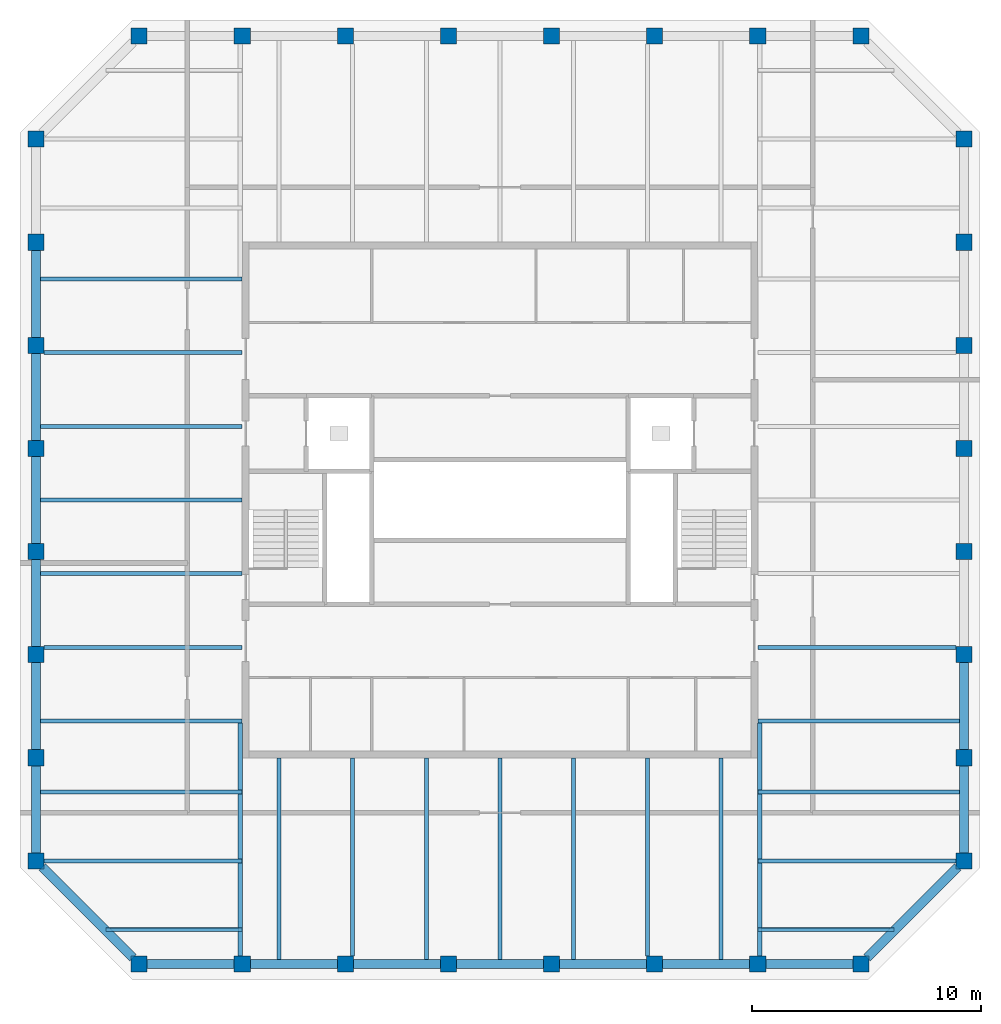
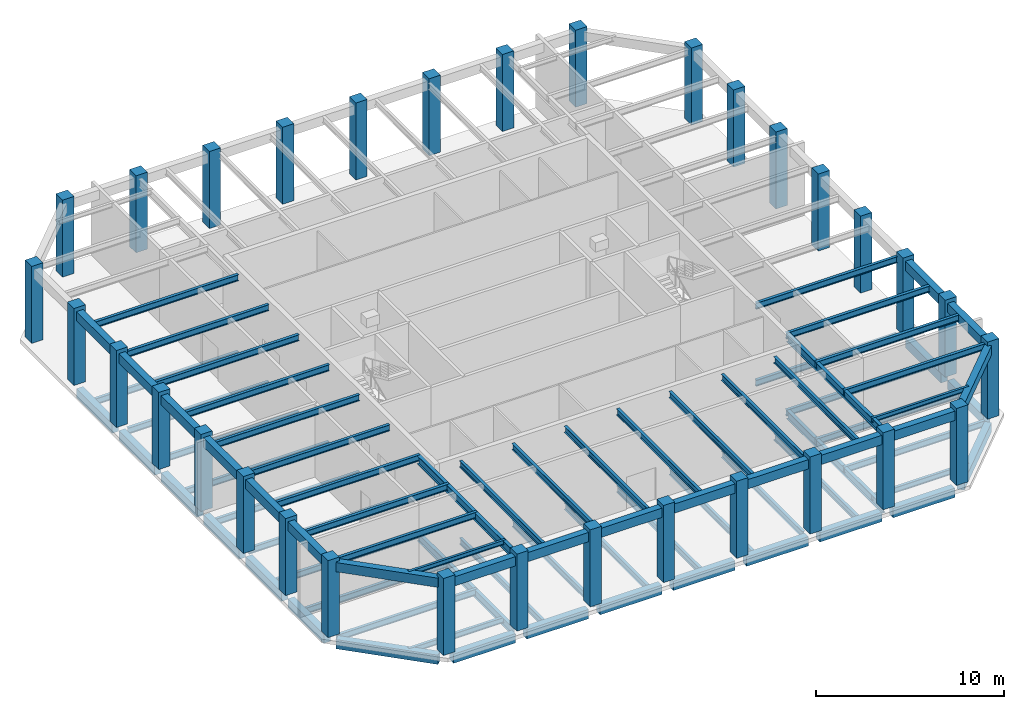
# One storey, part 1 of 6: 82 beams, 32 columns.
"""IFC4 building model written with IfcOpenShell, lengths in metres."""

from ifc_helpers import new_model, si_unit, direction, frame, origin, origin_2d, place, context, subcontext, project, spatial, rectangle, i_section, extrude, material, material_profile, profile_set, type_object, element, save


model = new_model("IFC4")

# Units and contexts
model_context = context("Model", 3, precision=1e-05, world=origin(), true_north=direction((0.0, 1.0)))
body_context = subcontext(model_context, "Body", "Model", "MODEL_VIEW")
ifc_project = project(units=[si_unit("LENGTHUNIT", "METRE"), si_unit("AREAUNIT", "SQUARE_METRE"), si_unit("VOLUMEUNIT", "CUBIC_METRE"), si_unit("PLANEANGLEUNIT", "RADIAN"), si_unit("MASSUNIT", "GRAM", prefix="KILO")], contexts=[model_context])

# Site, building, storey
site_placement = place(None, origin())
site = spatial("IfcSite", under=ifc_project, at=site_placement, CompositionType="ELEMENT")
building_placement = place(site_placement, origin())
building = spatial("IfcBuilding", under=site, at=building_placement, Name="Quoin Convention Tower", CompositionType="ELEMENT")
storey_placement = place(building_placement, frame((0.0, 0.0, 268.699951171875)))
storey = spatial("IfcBuildingStorey", under=building, at=storey_placement, Name="L70", CompositionType="ELEMENT", Elevation=268.699951171875)

# Columns
ifc_material_1 = material(Name="Concrete C40", Category="concrete")
ifc_material_profile_1 = material_profile(ifc_material_1, rectangle(XDim=0.699951171875, YDim=0.699951171875, at=origin_2d()), Name="RC 700x700")
ifc_profile_set_1 = profile_set([ifc_material_profile_1], Name="Concrete C40")
column_type = type_object("IfcColumnType", Name="RC 700x700 C40", PredefinedType="COLUMN", material=ifc_profile_set_1)
for number, where, z_axis, x_axis, name in (
    (1, (40.5, 40.5, 0.0), (0.0, 0.0, 1.0), (1.0, 0.0, 0.0), "col-L70-40500_40500"),
    (2, (45.0, 40.5, 0.0), (0.0, 0.0, 1.0), (1.0, 0.0, 0.0), "col-L70-45000_40500"),
    (3, (49.5, 40.5, 0.0), (0.0, 0.0, 1.0), (1.0, 0.0, 0.0), "col-L70-49500_40500"),
    (4, (54.0, 40.5, 0.0), (0.0, 0.0, 1.0), (1.0, 0.0, 0.0), "col-L70-54000_40500"),
    (5, (58.5, 40.5, 0.0), (0.0, 0.0, 1.0), (1.0, 0.0, 0.0), "col-L70-58500_40500"),
    (6, (63.0, 40.5, 0.0), (0.0, 0.0, 1.0), (1.0, 0.0, 0.0), "col-L70-63000_40500"),
    (7, (67.5, 40.5, 0.0), (0.0, 0.0, 1.0), (1.0, 0.0, 0.0), "col-L70-67500_40500"),
    (8, (72.0, 40.5, 0.0), (0.0, 0.0, 1.0), (1.0, 0.0, 0.0), "col-L70-72000_40500"),
    (9, (36.0, 45.0, 0.0), (0.0, 0.0, 1.0), (1.0, 0.0, 0.0), "col-L70-36000_45000"),
    (10, (76.5, 45.0, 0.0), (0.0, 0.0, 1.0), (1.0, 0.0, 0.0), "col-L70-76500_45000"),
    (11, (36.0, 49.5, 0.0), (0.0, 0.0, 1.0), (1.0, 0.0, 0.0), "col-L70-36000_49500"),
    (12, (76.5, 49.5, 0.0), (0.0, 0.0, 1.0), (1.0, 0.0, 0.0), "col-L70-76500_49500"),
    (13, (36.0, 54.0, 0.0), (0.0, 0.0, 1.0), (1.0, 0.0, 0.0), "col-L70-36000_54000"),
    (14, (76.5, 54.0, 0.0), (0.0, 0.0, 1.0), (1.0, 0.0, 0.0), "col-L70-76500_54000"),
    (15, (36.0, 58.5, 0.0), (0.0, 0.0, 1.0), (1.0, 0.0, 0.0), "col-L70-36000_58500"),
    (16, (76.5, 58.5, 0.0), (0.0, 0.0, 1.0), (1.0, 0.0, 0.0), "col-L70-76500_58500"),
    (17, (36.0, 63.0, 0.0), (0.0, 0.0, 1.0), (1.0, 0.0, 0.0), "col-L70-36000_63000"),
    (18, (76.5, 63.0, 0.0), (0.0, 0.0, 1.0), (1.0, 0.0, 0.0), "col-L70-76500_63000"),
    (19, (36.0, 67.5, 0.0), (0.0, 0.0, 1.0), (1.0, 0.0, 0.0), "col-L70-36000_67500"),
    (20, (76.5, 67.5, 0.0), (0.0, 0.0, 1.0), (1.0, 0.0, 0.0), "col-L70-76500_67500"),
    (21, (36.0, 72.0, 0.0), (0.0, 0.0, 1.0), (1.0, 0.0, 0.0), "col-L70-36000_72000"),
    (22, (76.5, 72.0, 0.0), (0.0, 0.0, 1.0), (1.0, 0.0, 0.0), "col-L70-76500_72000"),
    (23, (36.0, 76.5, 0.0), (0.0, 0.0, 1.0), (1.0, 0.0, 0.0), "col-L70-36000_76500"),
    (24, (76.5, 76.5, 0.0), (0.0, 0.0, 1.0), (1.0, 0.0, 0.0), "col-L70-76500_76500"),
    (25, (40.5, 81.0, 0.0), (0.0, 0.0, 1.0), (1.0, 0.0, 0.0), "col-L70-40500_81000"),
    (26, (45.0, 81.0, 0.0), (0.0, 0.0, 1.0), (1.0, 0.0, 0.0), "col-L70-45000_81000"),
    (27, (49.5, 81.0, 0.0), (0.0, 0.0, 1.0), (1.0, 0.0, 0.0), "col-L70-49500_81000"),
    (28, (54.0, 81.0, 0.0), (0.0, 0.0, 1.0), (1.0, 0.0, 0.0), "col-L70-54000_81000"),
    (29, (58.5, 81.0, 0.0), (0.0, 0.0, 1.0), (1.0, 0.0, 0.0), "col-L70-58500_81000"),
    (30, (63.0, 81.0, 0.0), (0.0, 0.0, 1.0), (1.0, 0.0, 0.0), "col-L70-63000_81000"),
    (31, (67.5, 81.0, 0.0), (0.0, 0.0, 1.0), (1.0, 0.0, 0.0), "col-L70-67500_81000"),
    (32, (72.0, 81.0, 0.0), (0.0, 0.0, 1.0), (1.0, 0.0, 0.0), "col-L70-72000_81000"),
):
    element("IfcColumn", number, at=place(storey_placement, frame(where, z_axis=z_axis, x_axis=x_axis)), inside=storey, type_object=column_type, Name=name, PredefinedType="COLUMN", context=body_context, shape_type="SweptSolid", body=[
        extrude(rectangle(XDim=0.699951171875, YDim=0.699951171875, at=origin_2d()), origin(), (0.0, 0.0, 1.0), 5.0),
    ])

# Beams
ifc_material_2 = material(Name="Steel Grade 300", Category="steel")
ifc_material_profile_2 = material_profile(ifc_material_2, i_section(OverallWidth=0.14892578125, OverallDepth=0.298095703125, WebThickness=0.005615234375, FlangeThickness=0.008056640625, FilletRadius=0.012939453125, at=origin_2d()), Name="310UB32.0")
ifc_profile_set_2 = profile_set([ifc_material_profile_2], Name="Steel Grade 300")
beam_type_1 = type_object("IfcBeamType", Name="310UB32.0", PredefinedType="BEAM", material=ifc_profile_set_2)
for number, where, z_axis, x_axis, name in (
    (33, (39.058349609375, 42.0, 4.60107421875), (1.0, 0.0, 0.0), (0.0, 1.0, 0.0), "bm-L70-rf-T1SW0"),
    (34, (67.5, 42.0, 4.60107421875), (1.0, 0.0, 0.0), (0.0, 1.0, 0.0), "bm-L70-rf-T1SE0"),
):
    element("IfcBeam", number, at=place(storey_placement, frame(where, z_axis=z_axis, x_axis=x_axis)), inside=storey, type_object=beam_type_1, Name=name, PredefinedType="BEAM", context=body_context, shape_type="SweptSolid", body=[
        extrude(i_section(OverallWidth=0.14892578125, OverallDepth=0.298095703125, WebThickness=0.005615234375, FlangeThickness=0.008056640625, FilletRadius=0.012939453125, at=origin_2d()), origin(), (0.0, 0.0, 1.0), 5.941650390625),
    ])
ifc_material_profile_3 = material_profile(ifc_material_2, i_section(OverallWidth=0.1708984375, OverallDepth=0.35205078125, WebThickness=0.0068359375, FlangeThickness=0.009765625, FilletRadius=0.011474609375, at=origin_2d()), Name="360UB44.7")
ifc_profile_set_3 = profile_set([ifc_material_profile_3], Name="Steel Grade 300")
beam_type_2 = type_object("IfcBeamType", Name="360UB44.7", PredefinedType="BEAM", material=ifc_profile_set_3)
for number, where, z_axis, x_axis, name in (
    (35, (39.055908203125, 42.0, -0.426025390625), (1.0, 0.0, 0.0), (0.0, 1.0, 0.0), "bm-L70-T1SW0"),
    (36, (67.5, 42.0, -0.426025390625), (1.0, 0.0, 0.0), (0.0, 1.0, 0.0), "bm-L70-T1SE0"),
):
    element("IfcBeam", number, at=place(storey_placement, frame(where, z_axis=z_axis, x_axis=x_axis)), inside=storey, type_object=beam_type_2, Name=name, PredefinedType="BEAM", context=body_context, shape_type="SweptSolid", body=[
        extrude(i_section(OverallWidth=0.1708984375, OverallDepth=0.35205078125, WebThickness=0.0068359375, FlangeThickness=0.009765625, FilletRadius=0.011474609375, at=origin_2d()), origin(), (0.0, 0.0, 1.0), 5.944091796875),
    ])
ifc_material_profile_4 = material_profile(ifc_material_2, i_section(OverallWidth=0.177978515625, OverallDepth=0.403076171875, WebThickness=0.007568359375, FlangeThickness=0.010986328125, FilletRadius=0.011474609375, at=origin_2d()), Name="410UB53.7")
ifc_profile_set_4 = profile_set([ifc_material_profile_4], Name="Steel Grade 300")
beam_type_3 = type_object("IfcBeamType", Name="410UB53.7", PredefinedType="BEAM", material=ifc_profile_set_4)
beam_1_placement = place(storey_placement, frame((36.199951171875, 51.107177734375, -0.451416015625), z_axis=(1.0, 0.0, 0.0), x_axis=(0.0, 1.0, 0.0)))
element("IfcBeam", 37, at=beam_1_placement, inside=storey, type_object=beam_type_3, Name="bm-L70-T1W0", PredefinedType="BEAM", context=body_context, shape_type="SweptSolid", body=[
    extrude(i_section(OverallWidth=0.177978515625, OverallDepth=0.403076171875, WebThickness=0.007568359375, FlangeThickness=0.010986328125, FilletRadius=0.011474609375, at=origin_2d()), origin(), (0.0, 0.0, 1.0), 8.800048828125),
])
beam_2_placement = place(storey_placement, frame((36.35009765625, 54.3212890625, -0.451416015625), z_axis=(1.0, 0.0, 0.0), x_axis=(0.0, 1.0, 0.0)))
element("IfcBeam", 38, at=beam_2_placement, inside=storey, type_object=beam_type_3, Name="bm-L70-T1W1", PredefinedType="BEAM", context=body_context, shape_type="SweptSolid", body=[
    extrude(i_section(OverallWidth=0.177978515625, OverallDepth=0.403076171875, WebThickness=0.007568359375, FlangeThickness=0.010986328125, FilletRadius=0.011474609375, at=origin_2d()), origin(), (0.0, 0.0, 1.0), 8.64990234375),
])
for number, where, z_axis, x_axis, name in (
    (39, (36.199951171875, 57.53564453125, -0.451416015625), (1.0, 0.0, 0.0), (0.0, 1.0, 0.0), "bm-L70-T1W2"),
    (40, (36.199951171875, 60.75, -0.451416015625), (1.0, 0.0, 0.0), (0.0, 1.0, 0.0), "bm-L70-T1W3"),
    (41, (36.199951171875, 63.96435546875, -0.451416015625), (1.0, 0.0, 0.0), (0.0, 1.0, 0.0), "bm-L70-T1W4"),
):
    element("IfcBeam", number, at=place(storey_placement, frame(where, z_axis=z_axis, x_axis=x_axis)), inside=storey, type_object=beam_type_3, Name=name, PredefinedType="BEAM", context=body_context, shape_type="SweptSolid", body=[
        extrude(i_section(OverallWidth=0.177978515625, OverallDepth=0.403076171875, WebThickness=0.007568359375, FlangeThickness=0.010986328125, FilletRadius=0.011474609375, at=origin_2d()), origin(), (0.0, 0.0, 1.0), 8.800048828125),
    ])
beam_3_placement = place(storey_placement, frame((36.35009765625, 67.1787109375, -0.451416015625), z_axis=(1.0, 0.0, 0.0), x_axis=(0.0, 1.0, 0.0)))
element("IfcBeam", 42, at=beam_3_placement, inside=storey, type_object=beam_type_3, Name="bm-L70-T1W5", PredefinedType="BEAM", context=body_context, shape_type="SweptSolid", body=[
    extrude(i_section(OverallWidth=0.177978515625, OverallDepth=0.403076171875, WebThickness=0.007568359375, FlangeThickness=0.010986328125, FilletRadius=0.011474609375, at=origin_2d()), origin(), (0.0, 0.0, 1.0), 8.64990234375),
])
for number, where, z_axis, x_axis, name in (
    (43, (36.199951171875, 70.392822265625, -0.451416015625), (1.0, 0.0, 0.0), (0.0, 1.0, 0.0), "bm-L70-T1W6"),
    (44, (67.5, 51.107177734375, -0.451416015625), (1.0, 0.0, 0.0), (0.0, 1.0, 0.0), "bm-L70-T1E0"),
):
    element("IfcBeam", number, at=place(storey_placement, frame(where, z_axis=z_axis, x_axis=x_axis)), inside=storey, type_object=beam_type_3, Name=name, PredefinedType="BEAM", context=body_context, shape_type="SweptSolid", body=[
        extrude(i_section(OverallWidth=0.177978515625, OverallDepth=0.403076171875, WebThickness=0.007568359375, FlangeThickness=0.010986328125, FilletRadius=0.011474609375, at=origin_2d()), origin(), (0.0, 0.0, 1.0), 8.800048828125),
    ])
beam_4_placement = place(storey_placement, frame((67.5, 54.3212890625, -0.451416015625), z_axis=(1.0, 0.0, 0.0), x_axis=(0.0, 1.0, 0.0)))
element("IfcBeam", 45, at=beam_4_placement, inside=storey, type_object=beam_type_3, Name="bm-L70-T1E1", PredefinedType="BEAM", context=body_context, shape_type="SweptSolid", body=[
    extrude(i_section(OverallWidth=0.177978515625, OverallDepth=0.403076171875, WebThickness=0.007568359375, FlangeThickness=0.010986328125, FilletRadius=0.011474609375, at=origin_2d()), origin(), (0.0, 0.0, 1.0), 8.64990234375),
])
beam_5_placement = place(storey_placement, frame((46.607177734375, 40.699951171875, -0.451416015625), z_axis=(0.0, 1.0, 0.0), x_axis=(-1.0, 0.0, 0.0)))
element("IfcBeam", 46, at=beam_5_placement, inside=storey, type_object=beam_type_3, Name="bm-L70-T1S0", PredefinedType="BEAM", context=body_context, shape_type="SweptSolid", body=[
    extrude(i_section(OverallWidth=0.177978515625, OverallDepth=0.403076171875, WebThickness=0.007568359375, FlangeThickness=0.010986328125, FilletRadius=0.011474609375, at=origin_2d()), origin(), (0.0, 0.0, 1.0), 8.800048828125),
])
beam_6_placement = place(storey_placement, frame((49.8212890625, 40.85009765625, -0.451416015625), z_axis=(0.0, 1.0, 0.0), x_axis=(-1.0, 0.0, 0.0)))
element("IfcBeam", 47, at=beam_6_placement, inside=storey, type_object=beam_type_3, Name="bm-L70-T1S1", PredefinedType="BEAM", context=body_context, shape_type="SweptSolid", body=[
    extrude(i_section(OverallWidth=0.177978515625, OverallDepth=0.403076171875, WebThickness=0.007568359375, FlangeThickness=0.010986328125, FilletRadius=0.011474609375, at=origin_2d()), origin(), (0.0, 0.0, 1.0), 8.64990234375),
])
for number, where, z_axis, x_axis, name in (
    (48, (53.03564453125, 40.699951171875, -0.451416015625), (0.0, 1.0, 0.0), (-1.0, 0.0, 0.0), "bm-L70-T1S2"),
    (49, (56.25, 40.699951171875, -0.451416015625), (0.0, 1.0, 0.0), (-1.0, 0.0, 0.0), "bm-L70-T1S3"),
    (50, (59.46435546875, 40.699951171875, -0.451416015625), (0.0, 1.0, 0.0), (-1.0, 0.0, 0.0), "bm-L70-T1S4"),
):
    element("IfcBeam", number, at=place(storey_placement, frame(where, z_axis=z_axis, x_axis=x_axis)), inside=storey, type_object=beam_type_3, Name=name, PredefinedType="BEAM", context=body_context, shape_type="SweptSolid", body=[
        extrude(i_section(OverallWidth=0.177978515625, OverallDepth=0.403076171875, WebThickness=0.007568359375, FlangeThickness=0.010986328125, FilletRadius=0.011474609375, at=origin_2d()), origin(), (0.0, 0.0, 1.0), 8.800048828125),
    ])
beam_7_placement = place(storey_placement, frame((62.6787109375, 40.85009765625, -0.451416015625), z_axis=(0.0, 1.0, 0.0), x_axis=(-1.0, 0.0, 0.0)))
element("IfcBeam", 51, at=beam_7_placement, inside=storey, type_object=beam_type_3, Name="bm-L70-T1S5", PredefinedType="BEAM", context=body_context, shape_type="SweptSolid", body=[
    extrude(i_section(OverallWidth=0.177978515625, OverallDepth=0.403076171875, WebThickness=0.007568359375, FlangeThickness=0.010986328125, FilletRadius=0.011474609375, at=origin_2d()), origin(), (0.0, 0.0, 1.0), 8.64990234375),
])
beam_8_placement = place(storey_placement, frame((65.892822265625, 40.699951171875, -0.451416015625), z_axis=(0.0, 1.0, 0.0), x_axis=(-1.0, 0.0, 0.0)))
element("IfcBeam", 52, at=beam_8_placement, inside=storey, type_object=beam_type_3, Name="bm-L70-T1S6", PredefinedType="BEAM", context=body_context, shape_type="SweptSolid", body=[
    extrude(i_section(OverallWidth=0.177978515625, OverallDepth=0.403076171875, WebThickness=0.007568359375, FlangeThickness=0.010986328125, FilletRadius=0.011474609375, at=origin_2d()), origin(), (0.0, 0.0, 1.0), 8.800048828125),
])
beam_9_placement = place(storey_placement, frame((36.35009765625, 45.0, -0.451416015625), z_axis=(1.0, 0.0, 0.0), x_axis=(0.0, 1.0, 0.0)))
element("IfcBeam", 53, at=beam_9_placement, inside=storey, type_object=beam_type_3, Name="bm-L70-T1SW1", PredefinedType="BEAM", context=body_context, shape_type="SweptSolid", body=[
    extrude(i_section(OverallWidth=0.177978515625, OverallDepth=0.403076171875, WebThickness=0.007568359375, FlangeThickness=0.010986328125, FilletRadius=0.011474609375, at=origin_2d()), origin(), (0.0, 0.0, 1.0), 8.64990234375),
])
beam_10_placement = place(storey_placement, frame((36.199951171875, 48.0, -0.451416015625), z_axis=(1.0, 0.0, 0.0), x_axis=(0.0, 1.0, 0.0)))
element("IfcBeam", 54, at=beam_10_placement, inside=storey, type_object=beam_type_3, Name="bm-L70-T1SW2", PredefinedType="BEAM", context=body_context, shape_type="SweptSolid", body=[
    extrude(i_section(OverallWidth=0.177978515625, OverallDepth=0.403076171875, WebThickness=0.007568359375, FlangeThickness=0.010986328125, FilletRadius=0.011474609375, at=origin_2d()), origin(), (0.0, 0.0, 1.0), 8.800048828125),
])
beam_11_placement = place(storey_placement, frame((67.5, 45.0, -0.451416015625), z_axis=(1.0, 0.0, 0.0), x_axis=(0.0, 1.0, 0.0)))
element("IfcBeam", 55, at=beam_11_placement, inside=storey, type_object=beam_type_3, Name="bm-L70-T1SE1", PredefinedType="BEAM", context=body_context, shape_type="SweptSolid", body=[
    extrude(i_section(OverallWidth=0.177978515625, OverallDepth=0.403076171875, WebThickness=0.007568359375, FlangeThickness=0.010986328125, FilletRadius=0.011474609375, at=origin_2d()), origin(), (0.0, 0.0, 1.0), 8.64990234375),
])
for number, where, z_axis, x_axis, name in (
    (56, (67.5, 48.0, -0.451416015625), (1.0, 0.0, 0.0), (0.0, 1.0, 0.0), "bm-L70-T1SE2"),
    (57, (36.199951171875, 51.107177734375, 4.548583984375), (1.0, 0.0, 0.0), (0.0, 1.0, 0.0), "bm-L70-rf-T1W0"),
):
    element("IfcBeam", number, at=place(storey_placement, frame(where, z_axis=z_axis, x_axis=x_axis)), inside=storey, type_object=beam_type_3, Name=name, PredefinedType="BEAM", context=body_context, shape_type="SweptSolid", body=[
        extrude(i_section(OverallWidth=0.177978515625, OverallDepth=0.403076171875, WebThickness=0.007568359375, FlangeThickness=0.010986328125, FilletRadius=0.011474609375, at=origin_2d()), origin(), (0.0, 0.0, 1.0), 8.800048828125),
    ])
beam_12_placement = place(storey_placement, frame((36.35009765625, 54.3212890625, 4.548583984375), z_axis=(1.0, 0.0, 0.0), x_axis=(0.0, 1.0, 0.0)))
element("IfcBeam", 58, at=beam_12_placement, inside=storey, type_object=beam_type_3, Name="bm-L70-rf-T1W1", PredefinedType="BEAM", context=body_context, shape_type="SweptSolid", body=[
    extrude(i_section(OverallWidth=0.177978515625, OverallDepth=0.403076171875, WebThickness=0.007568359375, FlangeThickness=0.010986328125, FilletRadius=0.011474609375, at=origin_2d()), origin(), (0.0, 0.0, 1.0), 8.64990234375),
])
for number, where, z_axis, x_axis, name in (
    (59, (36.199951171875, 57.53564453125, 4.548583984375), (1.0, 0.0, 0.0), (0.0, 1.0, 0.0), "bm-L70-rf-T1W2"),
    (60, (36.199951171875, 60.75, 4.548583984375), (1.0, 0.0, 0.0), (0.0, 1.0, 0.0), "bm-L70-rf-T1W3"),
    (61, (36.199951171875, 63.96435546875, 4.548583984375), (1.0, 0.0, 0.0), (0.0, 1.0, 0.0), "bm-L70-rf-T1W4"),
):
    element("IfcBeam", number, at=place(storey_placement, frame(where, z_axis=z_axis, x_axis=x_axis)), inside=storey, type_object=beam_type_3, Name=name, PredefinedType="BEAM", context=body_context, shape_type="SweptSolid", body=[
        extrude(i_section(OverallWidth=0.177978515625, OverallDepth=0.403076171875, WebThickness=0.007568359375, FlangeThickness=0.010986328125, FilletRadius=0.011474609375, at=origin_2d()), origin(), (0.0, 0.0, 1.0), 8.800048828125),
    ])
beam_13_placement = place(storey_placement, frame((36.35009765625, 67.1787109375, 4.548583984375), z_axis=(1.0, 0.0, 0.0), x_axis=(0.0, 1.0, 0.0)))
element("IfcBeam", 62, at=beam_13_placement, inside=storey, type_object=beam_type_3, Name="bm-L70-rf-T1W5", PredefinedType="BEAM", context=body_context, shape_type="SweptSolid", body=[
    extrude(i_section(OverallWidth=0.177978515625, OverallDepth=0.403076171875, WebThickness=0.007568359375, FlangeThickness=0.010986328125, FilletRadius=0.011474609375, at=origin_2d()), origin(), (0.0, 0.0, 1.0), 8.64990234375),
])
for number, where, z_axis, x_axis, name in (
    (63, (36.199951171875, 70.392822265625, 4.548583984375), (1.0, 0.0, 0.0), (0.0, 1.0, 0.0), "bm-L70-rf-T1W6"),
    (64, (67.5, 51.107177734375, 4.548583984375), (1.0, 0.0, 0.0), (0.0, 1.0, 0.0), "bm-L70-rf-T1E0"),
):
    element("IfcBeam", number, at=place(storey_placement, frame(where, z_axis=z_axis, x_axis=x_axis)), inside=storey, type_object=beam_type_3, Name=name, PredefinedType="BEAM", context=body_context, shape_type="SweptSolid", body=[
        extrude(i_section(OverallWidth=0.177978515625, OverallDepth=0.403076171875, WebThickness=0.007568359375, FlangeThickness=0.010986328125, FilletRadius=0.011474609375, at=origin_2d()), origin(), (0.0, 0.0, 1.0), 8.800048828125),
    ])
beam_14_placement = place(storey_placement, frame((67.5, 54.3212890625, 4.548583984375), z_axis=(1.0, 0.0, 0.0), x_axis=(0.0, 1.0, 0.0)))
element("IfcBeam", 65, at=beam_14_placement, inside=storey, type_object=beam_type_3, Name="bm-L70-rf-T1E1", PredefinedType="BEAM", context=body_context, shape_type="SweptSolid", body=[
    extrude(i_section(OverallWidth=0.177978515625, OverallDepth=0.403076171875, WebThickness=0.007568359375, FlangeThickness=0.010986328125, FilletRadius=0.011474609375, at=origin_2d()), origin(), (0.0, 0.0, 1.0), 8.64990234375),
])
beam_15_placement = place(storey_placement, frame((46.607177734375, 40.699951171875, 4.548583984375), z_axis=(0.0, 1.0, 0.0), x_axis=(-1.0, 0.0, 0.0)))
element("IfcBeam", 66, at=beam_15_placement, inside=storey, type_object=beam_type_3, Name="bm-L70-rf-T1S0", PredefinedType="BEAM", context=body_context, shape_type="SweptSolid", body=[
    extrude(i_section(OverallWidth=0.177978515625, OverallDepth=0.403076171875, WebThickness=0.007568359375, FlangeThickness=0.010986328125, FilletRadius=0.011474609375, at=origin_2d()), origin(), (0.0, 0.0, 1.0), 8.800048828125),
])
beam_16_placement = place(storey_placement, frame((49.8212890625, 40.85009765625, 4.548583984375), z_axis=(0.0, 1.0, 0.0), x_axis=(-1.0, 0.0, 0.0)))
element("IfcBeam", 67, at=beam_16_placement, inside=storey, type_object=beam_type_3, Name="bm-L70-rf-T1S1", PredefinedType="BEAM", context=body_context, shape_type="SweptSolid", body=[
    extrude(i_section(OverallWidth=0.177978515625, OverallDepth=0.403076171875, WebThickness=0.007568359375, FlangeThickness=0.010986328125, FilletRadius=0.011474609375, at=origin_2d()), origin(), (0.0, 0.0, 1.0), 8.64990234375),
])
for number, where, z_axis, x_axis, name in (
    (68, (53.03564453125, 40.699951171875, 4.548583984375), (0.0, 1.0, 0.0), (-1.0, 0.0, 0.0), "bm-L70-rf-T1S2"),
    (69, (56.25, 40.699951171875, 4.548583984375), (0.0, 1.0, 0.0), (-1.0, 0.0, 0.0), "bm-L70-rf-T1S3"),
    (70, (59.46435546875, 40.699951171875, 4.548583984375), (0.0, 1.0, 0.0), (-1.0, 0.0, 0.0), "bm-L70-rf-T1S4"),
):
    element("IfcBeam", number, at=place(storey_placement, frame(where, z_axis=z_axis, x_axis=x_axis)), inside=storey, type_object=beam_type_3, Name=name, PredefinedType="BEAM", context=body_context, shape_type="SweptSolid", body=[
        extrude(i_section(OverallWidth=0.177978515625, OverallDepth=0.403076171875, WebThickness=0.007568359375, FlangeThickness=0.010986328125, FilletRadius=0.011474609375, at=origin_2d()), origin(), (0.0, 0.0, 1.0), 8.800048828125),
    ])
beam_17_placement = place(storey_placement, frame((62.6787109375, 40.85009765625, 4.548583984375), z_axis=(0.0, 1.0, 0.0), x_axis=(-1.0, 0.0, 0.0)))
element("IfcBeam", 71, at=beam_17_placement, inside=storey, type_object=beam_type_3, Name="bm-L70-rf-T1S5", PredefinedType="BEAM", context=body_context, shape_type="SweptSolid", body=[
    extrude(i_section(OverallWidth=0.177978515625, OverallDepth=0.403076171875, WebThickness=0.007568359375, FlangeThickness=0.010986328125, FilletRadius=0.011474609375, at=origin_2d()), origin(), (0.0, 0.0, 1.0), 8.64990234375),
])
beam_18_placement = place(storey_placement, frame((65.892822265625, 40.699951171875, 4.548583984375), z_axis=(0.0, 1.0, 0.0), x_axis=(-1.0, 0.0, 0.0)))
element("IfcBeam", 72, at=beam_18_placement, inside=storey, type_object=beam_type_3, Name="bm-L70-rf-T1S6", PredefinedType="BEAM", context=body_context, shape_type="SweptSolid", body=[
    extrude(i_section(OverallWidth=0.177978515625, OverallDepth=0.403076171875, WebThickness=0.007568359375, FlangeThickness=0.010986328125, FilletRadius=0.011474609375, at=origin_2d()), origin(), (0.0, 0.0, 1.0), 8.800048828125),
])
beam_19_placement = place(storey_placement, frame((36.35009765625, 45.0, 4.548583984375), z_axis=(1.0, 0.0, 0.0), x_axis=(0.0, 1.0, 0.0)))
element("IfcBeam", 73, at=beam_19_placement, inside=storey, type_object=beam_type_3, Name="bm-L70-rf-T1SW1", PredefinedType="BEAM", context=body_context, shape_type="SweptSolid", body=[
    extrude(i_section(OverallWidth=0.177978515625, OverallDepth=0.403076171875, WebThickness=0.007568359375, FlangeThickness=0.010986328125, FilletRadius=0.011474609375, at=origin_2d()), origin(), (0.0, 0.0, 1.0), 8.64990234375),
])
beam_20_placement = place(storey_placement, frame((36.199951171875, 48.0, 4.548583984375), z_axis=(1.0, 0.0, 0.0), x_axis=(0.0, 1.0, 0.0)))
element("IfcBeam", 74, at=beam_20_placement, inside=storey, type_object=beam_type_3, Name="bm-L70-rf-T1SW2", PredefinedType="BEAM", context=body_context, shape_type="SweptSolid", body=[
    extrude(i_section(OverallWidth=0.177978515625, OverallDepth=0.403076171875, WebThickness=0.007568359375, FlangeThickness=0.010986328125, FilletRadius=0.011474609375, at=origin_2d()), origin(), (0.0, 0.0, 1.0), 8.800048828125),
])
beam_21_placement = place(storey_placement, frame((67.5, 45.0, 4.548583984375), z_axis=(1.0, 0.0, 0.0), x_axis=(0.0, 1.0, 0.0)))
element("IfcBeam", 75, at=beam_21_placement, inside=storey, type_object=beam_type_3, Name="bm-L70-rf-T1SE1", PredefinedType="BEAM", context=body_context, shape_type="SweptSolid", body=[
    extrude(i_section(OverallWidth=0.177978515625, OverallDepth=0.403076171875, WebThickness=0.007568359375, FlangeThickness=0.010986328125, FilletRadius=0.011474609375, at=origin_2d()), origin(), (0.0, 0.0, 1.0), 8.64990234375),
])
beam_22_placement = place(storey_placement, frame((67.5, 48.0, 4.548583984375), z_axis=(1.0, 0.0, 0.0), x_axis=(0.0, 1.0, 0.0)))
element("IfcBeam", 76, at=beam_22_placement, inside=storey, type_object=beam_type_3, Name="bm-L70-rf-T1SE2", PredefinedType="BEAM", context=body_context, shape_type="SweptSolid", body=[
    extrude(i_section(OverallWidth=0.177978515625, OverallDepth=0.403076171875, WebThickness=0.007568359375, FlangeThickness=0.010986328125, FilletRadius=0.011474609375, at=origin_2d()), origin(), (0.0, 0.0, 1.0), 8.800048828125),
])
ifc_material_profile_5 = material_profile(ifc_material_2, i_section(OverallWidth=0.208984375, OverallDepth=0.528076171875, WebThickness=0.009521484375, FlangeThickness=0.01318359375, FilletRadius=0.013916015625, at=origin_2d()), Name="530UB82.0")
ifc_profile_set_5 = profile_set([ifc_material_profile_5], Name="Steel Grade 300")
beam_type_4 = type_object("IfcBeamType", Name="530UB82.0", PredefinedType="BEAM", material=ifc_profile_set_5)
for number, where, z_axis, x_axis, name in (
    (77, (44.910888671875, 40.85009765625, -0.513916015625), (0.0, 1.0, 0.0), (-1.0, 0.0, 0.0), "gir-L70-T1SW"),
    (78, (67.589111328125, 40.85009765625, -0.513916015625), (0.0, 1.0, 0.0), (-1.0, 0.0, 0.0), "gir-L70-T1SE"),
):
    element("IfcBeam", number, at=place(storey_placement, frame(where, z_axis=z_axis, x_axis=x_axis)), inside=storey, type_object=beam_type_4, Name=name, PredefinedType="BEAM", context=body_context, shape_type="SweptSolid", body=[
        extrude(i_section(OverallWidth=0.208984375, OverallDepth=0.528076171875, WebThickness=0.009521484375, FlangeThickness=0.01318359375, FilletRadius=0.013916015625, at=origin_2d()), origin(), (0.0, 0.0, 1.0), 10.17138671875),
    ])
for number, where, z_axis, x_axis, name in (
    (79, (44.9140625, 40.85009765625, 4.486083984375), (0.0, 1.0, 0.0), (-1.0, 0.0, 0.0), "gir-L70-rf-T1SW"),
    (80, (67.5859375, 40.85009765625, 4.486083984375), (0.0, 1.0, 0.0), (-1.0, 0.0, 0.0), "gir-L70-rf-T1SE"),
):
    element("IfcBeam", number, at=place(storey_placement, frame(where, z_axis=z_axis, x_axis=x_axis)), inside=storey, type_object=beam_type_4, Name=name, PredefinedType="BEAM", context=body_context, shape_type="SweptSolid", body=[
        extrude(i_section(OverallWidth=0.208984375, OverallDepth=0.528076171875, WebThickness=0.009521484375, FlangeThickness=0.01318359375, FilletRadius=0.013916015625, at=origin_2d()), origin(), (0.0, 0.0, 1.0), 10.174072265625),
    ])
ifc_material_profile_6 = material_profile(ifc_material_1, rectangle(XDim=0.39990234375, YDim=0.60009765625, at=origin_2d()), Name="RC 400x600")
ifc_profile_set_6 = profile_set([ifc_material_profile_6], Name="Concrete C40")
beam_type_5 = type_object("IfcBeamType", Name="RC 400x600 C40", PredefinedType="SPANDREL", material=ifc_profile_set_6)
beam_23_placement = place(storey_placement, frame((72.26513671875, 40.76513671875, -0.550048828125), z_axis=(0.707106781187, 0.707106781187, 0.0), x_axis=(-0.707106781187, 0.707106781187, 0.0)))
element("IfcBeam", 81, at=beam_23_placement, inside=storey, type_object=beam_type_5, Name="spd-L70-72000_40500-76500_45000", PredefinedType="SPANDREL", context=body_context, shape_type="SweptSolid", body=[
    extrude(rectangle(XDim=0.39990234375, YDim=0.60009765625, at=origin_2d()), origin(), (0.0, 0.0, 1.0), 5.614013671875),
])
for number, where, z_axis, x_axis, name in (
    (82, (76.5, 45.35009765625, -0.550048828125), (0.0, 1.0, 0.0), (-1.0, 0.0, 0.0), "spd-L70-76500_45000-76500_49500"),
    (83, (76.5, 49.85009765625, -0.550048828125), (0.0, 1.0, 0.0), (-1.0, 0.0, 0.0), "spd-L70-76500_49500-76500_54000"),
    (84, (36.0, 71.64990234375, -0.550048828125), (0.0, -1.0, 0.0), (1.0, 0.0, 0.0), "spd-L70-36000_72000-36000_67500"),
    (85, (36.0, 67.14990234375, -0.550048828125), (0.0, -1.0, 0.0), (1.0, 0.0, 0.0), "spd-L70-36000_67500-36000_63000"),
    (86, (36.0, 62.64990234375, -0.550048828125), (0.0, -1.0, 0.0), (1.0, 0.0, 0.0), "spd-L70-36000_63000-36000_58500"),
    (87, (36.0, 58.14990234375, -0.550048828125), (0.0, -1.0, 0.0), (1.0, 0.0, 0.0), "spd-L70-36000_58500-36000_54000"),
    (88, (36.0, 53.64990234375, -0.550048828125), (0.0, -1.0, 0.0), (1.0, 0.0, 0.0), "spd-L70-36000_54000-36000_49500"),
    (89, (36.0, 49.14990234375, -0.550048828125), (0.0, -1.0, 0.0), (1.0, 0.0, 0.0), "spd-L70-36000_49500-36000_45000"),
):
    element("IfcBeam", number, at=place(storey_placement, frame(where, z_axis=z_axis, x_axis=x_axis)), inside=storey, type_object=beam_type_5, Name=name, PredefinedType="SPANDREL", context=body_context, shape_type="SweptSolid", body=[
        extrude(rectangle(XDim=0.39990234375, YDim=0.60009765625, at=origin_2d()), origin(), (0.0, 0.0, 1.0), 3.7998046875),
    ])
beam_24_placement = place(storey_placement, frame((36.26513671875, 44.73486328125, -0.550048828125), z_axis=(0.707106781187, -0.707106781187, 0.0), x_axis=(0.707106781187, 0.707106781187, 0.0)))
element("IfcBeam", 90, at=beam_24_placement, inside=storey, type_object=beam_type_5, Name="spd-L70-36000_45000-40500_40500", PredefinedType="SPANDREL", context=body_context, shape_type="SweptSolid", body=[
    extrude(rectangle(XDim=0.39990234375, YDim=0.60009765625, at=origin_2d()), origin(), (0.0, 0.0, 1.0), 5.614013671875),
])
for number, where, z_axis, x_axis, name in (
    (91, (40.85009765625, 40.5, -0.550048828125), (1.0, 0.0, 0.0), (0.0, 1.0, 0.0), "spd-L70-40500_40500-45000_40500"),
    (92, (45.35009765625, 40.5, -0.550048828125), (1.0, 0.0, 0.0), (0.0, 1.0, 0.0), "spd-L70-45000_40500-49500_40500"),
    (93, (49.85009765625, 40.5, -0.550048828125), (1.0, 0.0, 0.0), (0.0, 1.0, 0.0), "spd-L70-49500_40500-54000_40500"),
    (94, (54.35009765625, 40.5, -0.550048828125), (1.0, 0.0, 0.0), (0.0, 1.0, 0.0), "spd-L70-54000_40500-58500_40500"),
    (95, (58.85009765625, 40.5, -0.550048828125), (1.0, 0.0, 0.0), (0.0, 1.0, 0.0), "spd-L70-58500_40500-63000_40500"),
    (96, (63.35009765625, 40.5, -0.550048828125), (1.0, 0.0, 0.0), (0.0, 1.0, 0.0), "spd-L70-63000_40500-67500_40500"),
    (97, (67.85009765625, 40.5, -0.550048828125), (1.0, 0.0, 0.0), (0.0, 1.0, 0.0), "spd-L70-67500_40500-72000_40500"),
):
    element("IfcBeam", number, at=place(storey_placement, frame(where, z_axis=z_axis, x_axis=x_axis)), inside=storey, type_object=beam_type_5, Name=name, PredefinedType="SPANDREL", context=body_context, shape_type="SweptSolid", body=[
        extrude(rectangle(XDim=0.39990234375, YDim=0.60009765625, at=origin_2d()), origin(), (0.0, 0.0, 1.0), 3.7998046875),
    ])
beam_25_placement = place(storey_placement, frame((72.26513671875, 40.76513671875, 4.449951171875), z_axis=(0.707106781187, 0.707106781187, 0.0), x_axis=(-0.707106781187, 0.707106781187, 0.0)))
element("IfcBeam", 98, at=beam_25_placement, inside=storey, type_object=beam_type_5, Name="spd-L70-rf-72000_40500-76500_45000", PredefinedType="SPANDREL", context=body_context, shape_type="SweptSolid", body=[
    extrude(rectangle(XDim=0.39990234375, YDim=0.60009765625, at=origin_2d()), origin(), (0.0, 0.0, 1.0), 5.614013671875),
])
for number, where, z_axis, x_axis, name in (
    (99, (76.5, 45.35009765625, 4.449951171875), (0.0, 1.0, 0.0), (-1.0, 0.0, 0.0), "spd-L70-rf-76500_45000-76500_49500"),
    (100, (76.5, 49.85009765625, 4.449951171875), (0.0, 1.0, 0.0), (-1.0, 0.0, 0.0), "spd-L70-rf-76500_49500-76500_54000"),
    (101, (36.0, 71.64990234375, 4.449951171875), (0.0, -1.0, 0.0), (1.0, 0.0, 0.0), "spd-L70-rf-36000_72000-36000_67500"),
    (102, (36.0, 67.14990234375, 4.449951171875), (0.0, -1.0, 0.0), (1.0, 0.0, 0.0), "spd-L70-rf-36000_67500-36000_63000"),
    (103, (36.0, 62.64990234375, 4.449951171875), (0.0, -1.0, 0.0), (1.0, 0.0, 0.0), "spd-L70-rf-36000_63000-36000_58500"),
    (104, (36.0, 58.14990234375, 4.449951171875), (0.0, -1.0, 0.0), (1.0, 0.0, 0.0), "spd-L70-rf-36000_58500-36000_54000"),
    (105, (36.0, 53.64990234375, 4.449951171875), (0.0, -1.0, 0.0), (1.0, 0.0, 0.0), "spd-L70-rf-36000_54000-36000_49500"),
    (106, (36.0, 49.14990234375, 4.449951171875), (0.0, -1.0, 0.0), (1.0, 0.0, 0.0), "spd-L70-rf-36000_49500-36000_45000"),
):
    element("IfcBeam", number, at=place(storey_placement, frame(where, z_axis=z_axis, x_axis=x_axis)), inside=storey, type_object=beam_type_5, Name=name, PredefinedType="SPANDREL", context=body_context, shape_type="SweptSolid", body=[
        extrude(rectangle(XDim=0.39990234375, YDim=0.60009765625, at=origin_2d()), origin(), (0.0, 0.0, 1.0), 3.7998046875),
    ])
beam_26_placement = place(storey_placement, frame((36.26513671875, 44.73486328125, 4.449951171875), z_axis=(0.707106781187, -0.707106781187, 0.0), x_axis=(0.707106781187, 0.707106781187, 0.0)))
element("IfcBeam", 107, at=beam_26_placement, inside=storey, type_object=beam_type_5, Name="spd-L70-rf-36000_45000-40500_40500", PredefinedType="SPANDREL", context=body_context, shape_type="SweptSolid", body=[
    extrude(rectangle(XDim=0.39990234375, YDim=0.60009765625, at=origin_2d()), origin(), (0.0, 0.0, 1.0), 5.614013671875),
])
for number, where, z_axis, x_axis, name in (
    (108, (40.85009765625, 40.5, 4.449951171875), (1.0, 0.0, 0.0), (0.0, 1.0, 0.0), "spd-L70-rf-40500_40500-45000_40500"),
    (109, (45.35009765625, 40.5, 4.449951171875), (1.0, 0.0, 0.0), (0.0, 1.0, 0.0), "spd-L70-rf-45000_40500-49500_40500"),
    (110, (49.85009765625, 40.5, 4.449951171875), (1.0, 0.0, 0.0), (0.0, 1.0, 0.0), "spd-L70-rf-49500_40500-54000_40500"),
    (111, (54.35009765625, 40.5, 4.449951171875), (1.0, 0.0, 0.0), (0.0, 1.0, 0.0), "spd-L70-rf-54000_40500-58500_40500"),
    (112, (58.85009765625, 40.5, 4.449951171875), (1.0, 0.0, 0.0), (0.0, 1.0, 0.0), "spd-L70-rf-58500_40500-63000_40500"),
    (113, (63.35009765625, 40.5, 4.449951171875), (1.0, 0.0, 0.0), (0.0, 1.0, 0.0), "spd-L70-rf-63000_40500-67500_40500"),
    (114, (67.85009765625, 40.5, 4.449951171875), (1.0, 0.0, 0.0), (0.0, 1.0, 0.0), "spd-L70-rf-67500_40500-72000_40500"),
):
    element("IfcBeam", number, at=place(storey_placement, frame(where, z_axis=z_axis, x_axis=x_axis)), inside=storey, type_object=beam_type_5, Name=name, PredefinedType="SPANDREL", context=body_context, shape_type="SweptSolid", body=[
        extrude(rectangle(XDim=0.39990234375, YDim=0.60009765625, at=origin_2d()), origin(), (0.0, 0.0, 1.0), 3.7998046875),
    ])

save(model, "model.ifc")
